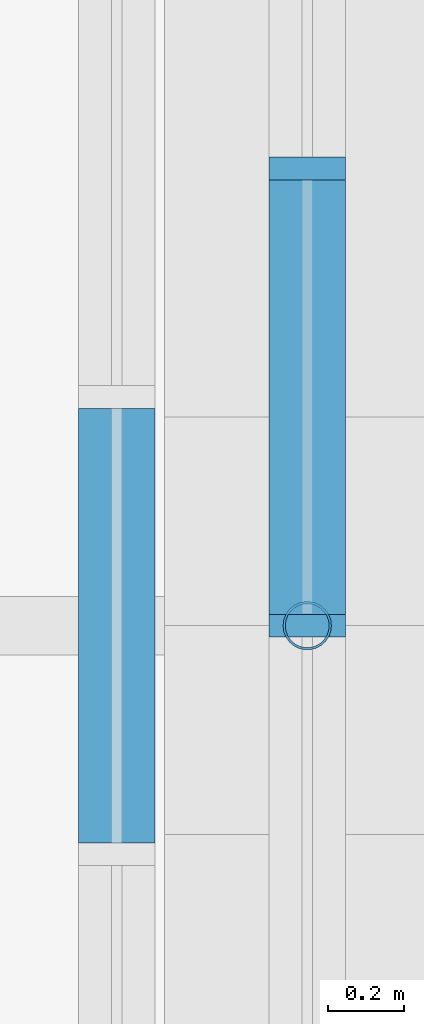
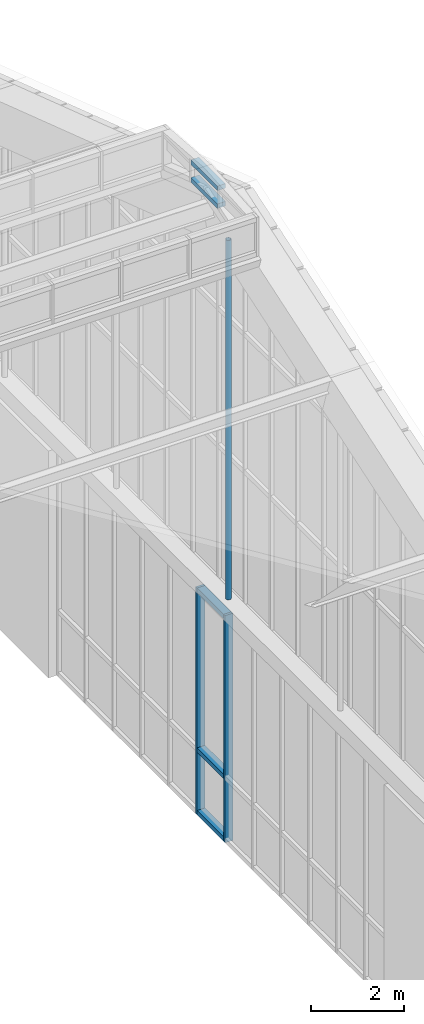
# One storey, part 97 of 149: 8 members, 2 elements without a shape of their own.
"""IFC4 building model written with IfcOpenShell, lengths in metres."""

from ifc_helpers import new_model, si_unit, direction, frame, origin, origin_2d, place, context, subcontext, project, spatial, rectangle, hollow_circle, extrude, material, material_profile, profile_set, type_object, element, aggregate, save


model = new_model("IFC4")

# Units and contexts
model_context = context("Model", 3, precision=1e-05, world=origin(), true_north=direction((0.0, 1.0)))
body_context = subcontext(model_context, "Body", "Model", "MODEL_VIEW")
ifc_project = project(units=[si_unit("LENGTHUNIT", "METRE"), si_unit("AREAUNIT", "SQUARE_METRE"), si_unit("VOLUMEUNIT", "CUBIC_METRE"), si_unit("PLANEANGLEUNIT", "RADIAN"), si_unit("MASSUNIT", "GRAM", prefix="KILO")], contexts=[model_context])

# Site, building, storey
site_placement = place(None, origin())
site = spatial("IfcSite", under=ifc_project, at=site_placement, CompositionType="ELEMENT")
building_placement = place(site_placement, origin())
building = spatial("IfcBuilding", under=site, at=building_placement, Name="Alderwick Market Hall", CompositionType="ELEMENT")
storey_placement = place(building_placement, frame((0.0, 0.0, 9.60009765625)))
storey = spatial("IfcBuildingStorey", under=building, at=storey_placement, Name="L01", CompositionType="ELEMENT", Elevation=9.60009765625)

# Curtain wall, members
ifc_material_1 = material(Name="Aluminium", Category="aluminium")
curtain_wall_type = type_object("IfcCurtainWallType", Name="R Curtain Wall Frame", PredefinedType="NOTDEFINED", material=ifc_material_1)
curtain_wall_1_placement = place(storey_placement, origin())
curtain_wall_1 = element("IfcCurtainWall", 1, at=curtain_wall_1_placement, inside=storey, type_object=curtain_wall_type, Name="Curtain wall GCW2", PredefinedType="NOTDEFINED")
ifc_material_profile_1 = material_profile(ifc_material_1, rectangle(XDim=0.199951171875, YDim=0.06005859375, at=origin_2d()), Name="AL 60x200")
ifc_profile_set_1 = profile_set([ifc_material_profile_1], Name="Aluminium")
member_type_1 = type_object("IfcMemberType", Name="R CW Mullion 60x200", PredefinedType="MULLION", material=ifc_profile_set_1)
member_1_placement = place(storey_placement, frame((151.199951171875, 79.199951171875, 0.0), z_axis=(0.0, 0.0, 1.0), x_axis=(1.0, 0.0, 0.0)))
member_1 = element("IfcMember", 2, at=member_1_placement, type_object=member_type_1, Name="GCW2 mullion 7", PredefinedType="MULLION", context=body_context, shape_type="SweptSolid", body=[
    extrude(rectangle(XDim=0.199951171875, YDim=0.06005859375, at=origin_2d()), origin(), (0.0, 0.0, 1.0), 5.94677734375),
])
member_2_placement = place(storey_placement, frame((151.199951171875, 80.39990234375, 0.0), z_axis=(0.0, 0.0, 1.0), x_axis=(1.0, 0.0, 0.0)))
member_2 = element("IfcMember", 3, at=member_2_placement, type_object=member_type_1, Name="GCW2 mullion 8", PredefinedType="MULLION", context=body_context, shape_type="SweptSolid", body=[
    extrude(rectangle(XDim=0.199951171875, YDim=0.06005859375, at=origin_2d()), origin(), (0.0, 0.0, 1.0), 5.94677734375),
])
ifc_material_profile_2 = material_profile(ifc_material_1, rectangle(XDim=0.199951171875, YDim=0.1201171875, at=origin_2d()), Name="AL 120x200")
ifc_profile_set_2 = profile_set([ifc_material_profile_2], Name="Aluminium")
member_type_2 = type_object("IfcMemberType", Name="R CW Transom 120x200", PredefinedType="USERDEFINED", material=ifc_profile_set_2)
member_3_placement = place(storey_placement, frame((151.199951171875, 79.22998046875, 0.059814453125), z_axis=(0.0, 1.0, 0.0), x_axis=(-1.0, 0.0, 0.0)))
member_3 = element("IfcMember", 4, at=member_3_placement, type_object=member_type_2, Name="GCW2 sill transom 7", ObjectType="TRANSOM", PredefinedType="USERDEFINED", context=body_context, shape_type="SweptSolid", body=[
    extrude(rectangle(XDim=0.199951171875, YDim=0.1201171875, at=origin_2d()), origin(), (0.0, 0.0, 1.0), 1.14013671875),
])
member_4_placement = place(storey_placement, frame((151.199951171875, 79.22998046875, 1.699951171875), z_axis=(0.0, 1.0, 0.0), x_axis=(-1.0, 0.0, 0.0)))
member_4 = element("IfcMember", 5, at=member_4_placement, type_object=member_type_2, Name="GCW2 transom 7.1", ObjectType="TRANSOM", PredefinedType="USERDEFINED", context=body_context, shape_type="SweptSolid", body=[
    extrude(rectangle(XDim=0.199951171875, YDim=0.1201171875, at=origin_2d()), origin(), (0.0, 0.0, 1.0), 1.14013671875),
])
member_5_placement = place(storey_placement, frame((151.199951171875, 79.22998046875, 5.88671875), z_axis=(0.0, 1.0, 0.0), x_axis=(-1.0, 0.0, 0.0)))
member_5 = element("IfcMember", 6, at=member_5_placement, type_object=member_type_2, Name="GCW2 head transom 7", ObjectType="TRANSOM", PredefinedType="USERDEFINED", context=body_context, shape_type="SweptSolid", body=[
    extrude(rectangle(XDim=0.199951171875, YDim=0.1201171875, at=origin_2d()), origin(), (0.0, 0.0, 1.0), 1.14013671875),
])
aggregate(curtain_wall_1, [member_1, member_2, member_3, member_4, member_5])

curtain_wall_2_placement = place(storey_placement, origin())
curtain_wall_2 = element("IfcCurtainWall", 7, at=curtain_wall_2_placement, inside=storey, type_object=curtain_wall_type, Name="Curtain wall LCW E7", PredefinedType="NOTDEFINED")
member_6_placement = place(storey_placement, frame((150.699951171875, 78.6298828125, 17.173583984375), z_axis=(0.0, 1.0, 0.0), x_axis=(-1.0, 0.0, 0.0)))
member_6 = element("IfcMember", 8, at=member_6_placement, type_object=member_type_2, Name="LCW E7 sill transom 2", ObjectType="TRANSOM", PredefinedType="USERDEFINED", context=body_context, shape_type="SweptSolid", body=[
    extrude(rectangle(XDim=0.199951171875, YDim=0.1201171875, at=origin_2d()), origin(), (0.0, 0.0, 1.0), 1.14013671875),
])
member_7_placement = place(storey_placement, frame((150.699951171875, 78.6298828125, 17.639892578125), z_axis=(0.0, 1.0, 0.0), x_axis=(-1.0, 0.0, 0.0)))
member_7 = element("IfcMember", 9, at=member_7_placement, type_object=member_type_2, Name="LCW E7 head transom 2", ObjectType="TRANSOM", PredefinedType="USERDEFINED", context=body_context, shape_type="SweptSolid", body=[
    extrude(rectangle(XDim=0.199951171875, YDim=0.1201171875, at=origin_2d()), origin(), (0.0, 0.0, 1.0), 1.14013671875),
])
aggregate(curtain_wall_2, [member_6, member_7])

# Member
ifc_material_2 = material(Name="Steel ASTM A500 Grade C", Category="steel")
ifc_material_profile_3 = material_profile(ifc_material_2, hollow_circle(Radius=0.0634765625, WallThickness=0.005859375, at=origin_2d()), Name="HSS5.000x0.250")
ifc_profile_set_3 = profile_set([ifc_material_profile_3], Name="Steel ASTM A500 Grade C")
member_type_3 = type_object("IfcMemberType", Name="R Hanger HSS5.000x0.250", PredefinedType="POST", material=ifc_profile_set_3)
member_8_placement = place(storey_placement, frame((151.199951171875, 79.199951171875, 6.35302734375), z_axis=(0.0, 0.0, 1.0), x_axis=(1.0, 0.0, 0.0)))
element("IfcMember", 10, at=member_8_placement, inside=storey, type_object=member_type_3, Name="Arch hanger 8.6", PredefinedType="POST", context=body_context, shape_type="SweptSolid", body=[
    extrude(hollow_circle(Radius=0.0634765625, WallThickness=0.005859375, at=origin_2d()), origin(), (0.0, 0.0, 1.0), 9.411376953125),
])

save(model, "model.ifc")
